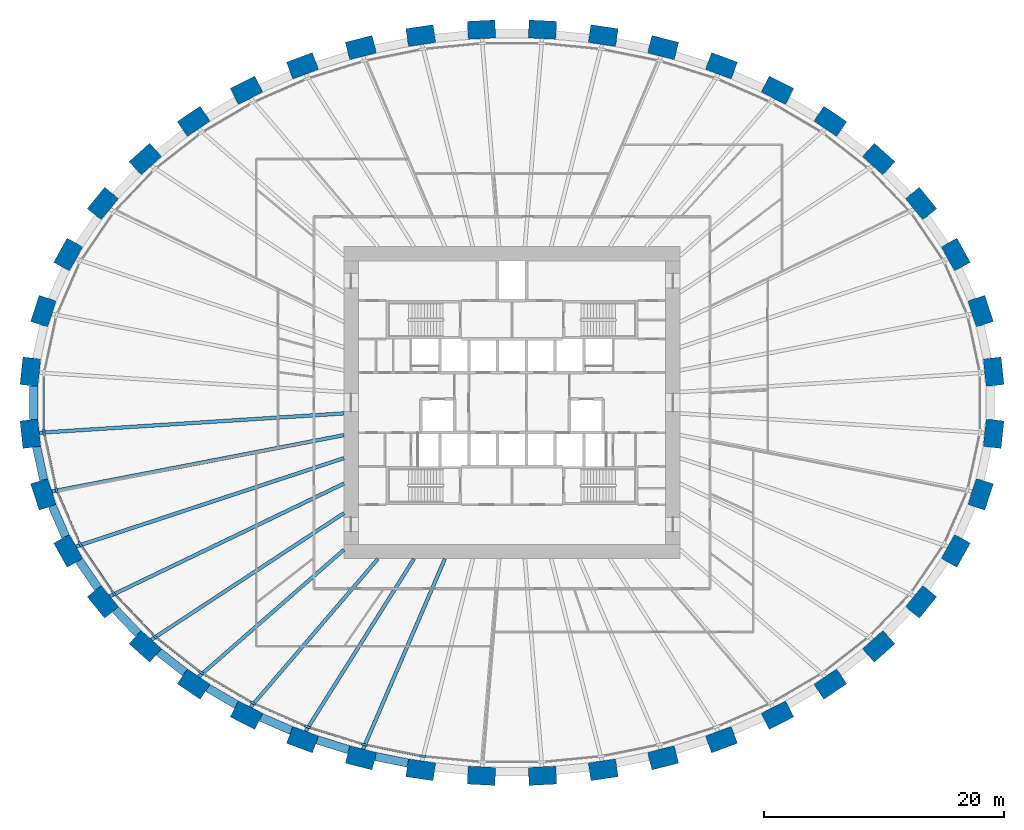
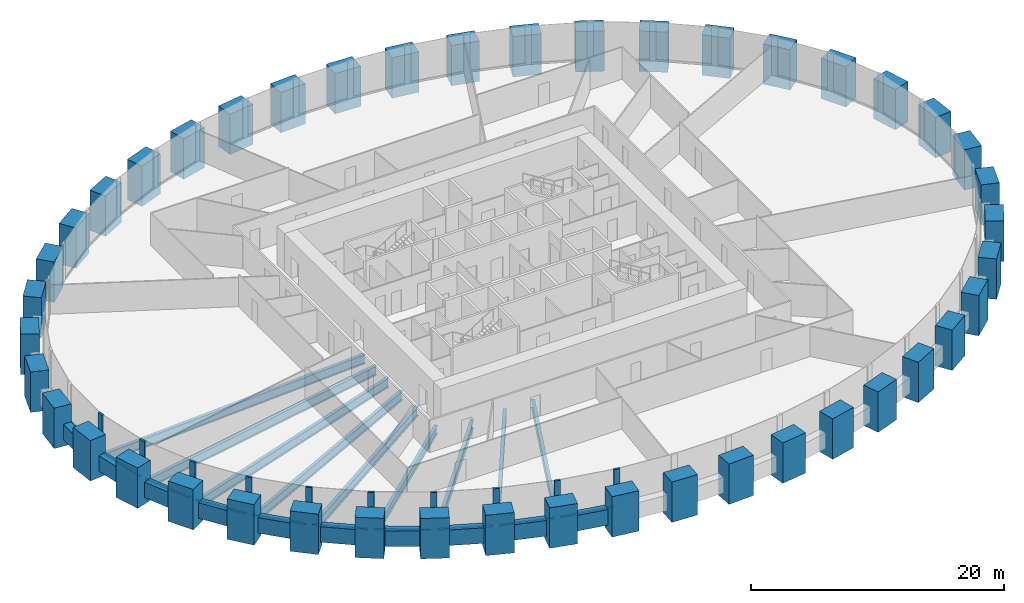
# One storey, part 1 of 11: 44 columns, 20 members, 19 beams, 1 element without a shape of its own.
"""IFC4 building model written with IfcOpenShell, lengths in metres."""

from ifc_helpers import new_model, si_unit, direction, frame, origin, origin_2d, place, context, subcontext, project, spatial, rectangle, i_section, extrude, source, transform, mapped, material, material_profile, profile_set, type_object, element, aggregate, save


model = new_model("IFC4")

# Units and contexts
model_context = context("Model", 3, precision=1e-05, world=origin(), true_north=direction((0.0, 1.0)))
body_context = subcontext(model_context, "Body", "Model", "MODEL_VIEW")
ifc_project = project(units=[si_unit("LENGTHUNIT", "METRE"), si_unit("AREAUNIT", "SQUARE_METRE"), si_unit("VOLUMEUNIT", "CUBIC_METRE"), si_unit("PLANEANGLEUNIT", "RADIAN"), si_unit("MASSUNIT", "GRAM", prefix="KILO")], contexts=[model_context])

# Site, building, storey
site_placement = place(None, origin())
site = spatial("IfcSite", under=ifc_project, at=site_placement, CompositionType="ELEMENT")
building_placement = place(site_placement, origin())
building = spatial("IfcBuilding", under=site, at=building_placement, Name="Embergate Tower", CompositionType="ELEMENT")
storey_placement = place(building_placement, frame((0.0, 0.0, 109.39990234375)))
storey = spatial("IfcBuildingStorey", under=building, at=storey_placement, Name="L23", CompositionType="ELEMENT", Elevation=109.39990234375)

# Columns
ifc_material_1 = material(Name="Concrete C70", Category="concrete")
ifc_material_profile_1 = material_profile(ifc_material_1, rectangle(XDim=1.5, YDim=2.300048828125, at=origin_2d()), Name="RC 1500x2300")
ifc_profile_set_1 = profile_set([ifc_material_profile_1], Name="Concrete C70")
column_type = type_object("IfcColumnType", Name="Ring column RC 1500x2300 C70", PredefinedType="COLUMN", material=ifc_profile_set_1)
shared_shape_1 = source(origin(), body_context, "Body", "SweptSolid", [
    extrude(rectangle(XDim=1.5, YDim=2.300048828125, at=origin_2d()), origin(), (0.0, 0.0, 1.0), 3.89990234375),
])
for number, where, z_axis, x_axis, name in (
    (1, (40.1259765625, 2.58203125, -1.39990234375), (0.0, 0.0, 1.0), (0.99428589498, 0.106749983816, 0.0), "COL-L23-00"),
    (2, (39.0400390625, 7.6259765625, -1.39990234375), (0.0, 0.0, 1.0), (0.950754033697, 0.309946394413, 0.0), "COL-L23-01"),
    (3, (36.971923828125, 12.342041015625, -1.39990234375), (0.0, 0.0, 1.0), (0.873500465855, 0.486823311018, 0.0), "COL-L23-02"),
    (4, (34.083984375, 16.590087890625, -1.39990234375), (0.0, 0.0, 1.0), (0.775925311702, 0.630824786022, 0.0), "COL-L23-03"),
    (5, (30.548095703125, 20.299072265625, -1.39990234375), (0.0, 0.0, 1.0), (0.669221393633, 0.743063070206, 0.0), "COL-L23-04"),
    (6, (26.51806640625, 23.444091796875, -1.39990234375), (0.0, 0.0, 1.0), (0.560407734638, 0.828216862275, 0.0), "COL-L23-05"),
    (7, (22.118896484375, 26.031005859375, -1.39990234375), (0.0, 0.0, 1.0), (0.453010512651, 0.891505174089, 0.0), "COL-L23-06"),
    (8, (17.449951171875, 28.072021484375, -1.39990234375), (0.0, 0.0, 1.0), (0.348343015724, 0.93736713373, 0.0), "COL-L23-07"),
    (9, (12.590087890625, 29.5859375, -1.39990234375), (0.0, 0.0, 1.0), (0.24650851817, 0.969140624713, 0.0), "COL-L23-08"),
    (10, (7.60205078125, 30.5859375, -1.39990234375), (0.0, 0.0, 1.0), (0.146929011949, 0.989147039346, 0.0), "COL-L23-09"),
    (11, (2.5419921875, 31.083984375, -1.39990234375), (0.0, 0.0, 1.0), (0.048814904854, 0.998807841912, 0.0), "COL-L23-10"),
    (12, (-2.5419921875, 31.083984375, -1.39990234375), (0.0, 0.0, 1.0), (-0.048814904854, 0.998807841912, 0.0), "COL-L23-11"),
    (13, (-7.60205078125, 30.5859375, -1.39990234375), (0.0, 0.0, 1.0), (-0.146929011949, 0.989147039346, 0.0), "COL-L23-12"),
    (14, (-12.590087890625, 29.5859375, -1.39990234375), (0.0, 0.0, 1.0), (-0.24650851817, 0.969140624713, 0.0), "COL-L23-13"),
    (15, (-17.449951171875, 28.072021484375, -1.39990234375), (0.0, 0.0, 1.0), (-0.348343015724, 0.93736713373, 0.0), "COL-L23-14"),
    (16, (-22.118896484375, 26.031005859375, -1.39990234375), (0.0, 0.0, 1.0), (-0.453010512651, 0.891505174089, 0.0), "COL-L23-15"),
    (17, (-26.51806640625, 23.444091796875, -1.39990234375), (0.0, 0.0, 1.0), (-0.560407734638, 0.828216862275, 0.0), "COL-L23-16"),
    (18, (-30.548095703125, 20.299072265625, -1.39990234375), (0.0, 0.0, 1.0), (-0.669221393633, 0.743063070206, 0.0), "COL-L23-17"),
    (19, (-34.083984375, 16.590087890625, -1.39990234375), (0.0, 0.0, 1.0), (-0.775925311702, 0.630824786022, 0.0), "COL-L23-18"),
    (20, (-36.971923828125, 12.342041015625, -1.39990234375), (0.0, 0.0, 1.0), (-0.873500465855, 0.486823311018, 0.0), "COL-L23-19"),
    (21, (-39.0400390625, 7.6259765625, -1.39990234375), (0.0, 0.0, 1.0), (-0.950754033697, 0.309946394413, 0.0), "COL-L23-20"),
    (22, (-40.1259765625, 2.58203125, -1.39990234375), (0.0, 0.0, 1.0), (-0.99428589498, 0.106749983816, 0.0), "COL-L23-21"),
    (23, (-40.1259765625, -2.58203125, -1.39990234375), (0.0, 0.0, 1.0), (-0.99428589498, -0.106749983816, 0.0), "COL-L23-22"),
    (24, (-39.0400390625, -7.6259765625, -1.39990234375), (0.0, 0.0, 1.0), (-0.950754033697, -0.309946394413, 0.0), "COL-L23-23"),
    (25, (-36.971923828125, -12.342041015625, -1.39990234375), (0.0, 0.0, 1.0), (-0.873500465855, -0.486823311018, 0.0), "COL-L23-24"),
    (26, (-34.083984375, -16.590087890625, -1.39990234375), (0.0, 0.0, 1.0), (-0.775925311702, -0.630824786022, 0.0), "COL-L23-25"),
    (27, (-30.548095703125, -20.299072265625, -1.39990234375), (0.0, 0.0, 1.0), (-0.669221393633, -0.743063070206, 0.0), "COL-L23-26"),
    (28, (-26.51806640625, -23.444091796875, -1.39990234375), (0.0, 0.0, 1.0), (-0.560407734638, -0.828216862275, 0.0), "COL-L23-27"),
    (29, (-22.118896484375, -26.031005859375, -1.39990234375), (0.0, 0.0, 1.0), (-0.453010512651, -0.891505174089, 0.0), "COL-L23-28"),
    (30, (-17.449951171875, -28.072021484375, -1.39990234375), (0.0, 0.0, 1.0), (-0.348343015724, -0.93736713373, 0.0), "COL-L23-29"),
    (31, (-12.590087890625, -29.5859375, -1.39990234375), (0.0, 0.0, 1.0), (-0.24650851817, -0.969140624713, 0.0), "COL-L23-30"),
    (32, (-7.60205078125, -30.5859375, -1.39990234375), (0.0, 0.0, 1.0), (-0.146929011949, -0.989147039346, 0.0), "COL-L23-31"),
    (33, (-2.5419921875, -31.083984375, -1.39990234375), (0.0, 0.0, 1.0), (-0.048814904854, -0.998807841912, 0.0), "COL-L23-32"),
    (34, (2.5419921875, -31.083984375, -1.39990234375), (0.0, 0.0, 1.0), (0.048814904854, -0.998807841912, 0.0), "COL-L23-33"),
    (35, (7.60205078125, -30.5859375, -1.39990234375), (0.0, 0.0, 1.0), (0.146929011949, -0.989147039346, 0.0), "COL-L23-34"),
    (36, (12.590087890625, -29.5859375, -1.39990234375), (0.0, 0.0, 1.0), (0.24650851817, -0.969140624713, 0.0), "COL-L23-35"),
    (37, (17.449951171875, -28.072021484375, -1.39990234375), (0.0, 0.0, 1.0), (0.348343015724, -0.93736713373, 0.0), "COL-L23-36"),
    (38, (22.118896484375, -26.031005859375, -1.39990234375), (0.0, 0.0, 1.0), (0.453010512651, -0.891505174089, 0.0), "COL-L23-37"),
    (39, (26.51806640625, -23.444091796875, -1.39990234375), (0.0, 0.0, 1.0), (0.560407734638, -0.828216862275, 0.0), "COL-L23-38"),
    (40, (30.548095703125, -20.299072265625, -1.39990234375), (0.0, 0.0, 1.0), (0.669221393633, -0.743063070206, 0.0), "COL-L23-39"),
    (41, (34.083984375, -16.590087890625, -1.39990234375), (0.0, 0.0, 1.0), (0.775925311702, -0.630824786022, 0.0), "COL-L23-40"),
    (42, (36.971923828125, -12.342041015625, -1.39990234375), (0.0, 0.0, 1.0), (0.873500465855, -0.486823311018, 0.0), "COL-L23-41"),
    (43, (39.0400390625, -7.6259765625, -1.39990234375), (0.0, 0.0, 1.0), (0.950754033697, -0.309946394413, 0.0), "COL-L23-42"),
    (44, (40.1259765625, -2.58203125, -1.39990234375), (0.0, 0.0, 1.0), (0.99428589498, -0.106749983816, 0.0), "COL-L23-43"),
):
    element("IfcColumn", number, at=place(storey_placement, frame(where, z_axis=z_axis, x_axis=x_axis)), inside=storey, type_object=column_type, Name=name, PredefinedType="COLUMN", context=body_context, shape_type="MappedRepresentation", body=[
        mapped(shared_shape_1, transform((0.0, 0.0, 0.0))),
    ])

# Beams
ifc_material_profile_2 = material_profile(ifc_material_1, rectangle(XDim=0.699951171875, YDim=1.5, at=origin_2d()), Name="RC 700x1500")
ifc_profile_set_2 = profile_set([ifc_material_profile_2], Name="Concrete C70")
beam_type_1 = type_object("IfcBeamType", Name="Spandrel beam RC 700x1500 C70", PredefinedType="BEAM", material=ifc_profile_set_2)
shared_shape_2 = source(origin(), body_context, "Body", "SweptSolid", [
    extrude(rectangle(XDim=0.699951171875, YDim=1.5, at=origin_2d()), origin(), (0.0, 0.0, 1.0), 2.789306640625),
])
beam_1_placement = place(storey_placement, frame((-39.60693359375, -3.68310546875, 0.0), z_axis=(0.210419662527, -0.977611152566, 0.0), x_axis=(0.977611152566, 0.210419662527, 0.0)))
element("IfcBeam", 45, at=beam_1_placement, inside=storey, type_object=beam_type_1, Name="SPN-L23-22", PredefinedType="BEAM", context=body_context, shape_type="MappedRepresentation", body=[
    mapped(shared_shape_2, transform((0.0, 0.0, 0.0))),
])
shared_shape_3 = source(origin(), body_context, "Body", "SweptSolid", [
    extrude(rectangle(XDim=0.699951171875, YDim=1.5, at=origin_2d()), origin(), (0.0, 0.0, 1.0), 2.78564453125),
])
beam_2_placement = place(storey_placement, frame((-38.31201171875, -8.597900390625, 0.0), z_axis=(0.401669232295, -0.915784815242, 0.0), x_axis=(0.915784815242, 0.401669232295, 0.0)))
element("IfcBeam", 46, at=beam_2_placement, inside=storey, type_object=beam_type_1, Name="SPN-L23-23", PredefinedType="BEAM", context=body_context, shape_type="MappedRepresentation", body=[
    mapped(shared_shape_3, transform((0.0, 0.0, 0.0))),
])
shared_shape_4 = source(origin(), body_context, "Body", "SweptSolid", [
    extrude(rectangle(XDim=0.699951171875, YDim=1.5, at=origin_2d()), origin(), (0.0, 0.0, 1.0), 2.775634765625),
])
beam_3_placement = place(storey_placement, frame((-36.06201171875, -13.152099609375, 0.0), z_axis=(0.562430313872, -0.826844690397, 0.0), x_axis=(0.826844690397, 0.562430313872, 0.0)))
element("IfcBeam", 47, at=beam_3_placement, inside=storey, type_object=beam_type_1, Name="SPN-L23-24", PredefinedType="BEAM", context=body_context, shape_type="MappedRepresentation", body=[
    mapped(shared_shape_4, transform((0.0, 0.0, 0.0))),
])
shared_shape_5 = source(origin(), body_context, "Body", "SweptSolid", [
    extrude(rectangle(XDim=0.699951171875, YDim=1.5, at=origin_2d()), origin(), (0.0, 0.0, 1.0), 2.770263671875),
])
beam_4_placement = place(storey_placement, frame((-33.055908203125, -17.237060546875, 0.0), z_axis=(0.690119345663, -0.723695577395, 0.0), x_axis=(0.723695577395, 0.690119345663, 0.0)))
element("IfcBeam", 48, at=beam_4_placement, inside=storey, type_object=beam_type_1, Name="SPN-L23-25", PredefinedType="BEAM", context=body_context, shape_type="MappedRepresentation", body=[
    mapped(shared_shape_5, transform((0.0, 0.0, 0.0))),
])
shared_shape_6 = source(origin(), body_context, "Body", "SweptSolid", [
    extrude(rectangle(XDim=0.699951171875, YDim=1.5, at=origin_2d()), origin(), (0.0, 0.0, 1.0), 2.762939453125),
])
beam_5_placement = place(storey_placement, frame((-29.426025390625, -20.77099609375, 0.0), z_axis=(0.788304284462, -0.615285588242, 0.0), x_axis=(0.615285588242, 0.788304284462, 0.0)))
element("IfcBeam", 49, at=beam_5_placement, inside=storey, type_object=beam_type_1, Name="SPN-L23-26", PredefinedType="BEAM", context=body_context, shape_type="MappedRepresentation", body=[
    mapped(shared_shape_6, transform((0.0, 0.0, 0.0))),
])
shared_shape_7 = source(origin(), body_context, "Body", "SweptSolid", [
    extrude(rectangle(XDim=0.699951171875, YDim=1.5, at=origin_2d()), origin(), (0.0, 0.0, 1.0), 2.758544921875),
])
beam_6_placement = place(storey_placement, frame((-25.345947265625, -23.763916015625, 0.0), z_axis=(0.862027482261, -0.506861539108, 0.0), x_axis=(0.506861539108, 0.862027482261, 0.0)))
element("IfcBeam", 50, at=beam_6_placement, inside=storey, type_object=beam_type_1, Name="SPN-L23-27", PredefinedType="BEAM", context=body_context, shape_type="MappedRepresentation", body=[
    mapped(shared_shape_7, transform((0.0, 0.0, 0.0))),
])
shared_shape_8 = source(origin(), body_context, "Body", "SweptSolid", [
    extrude(rectangle(XDim=0.699951171875, YDim=1.5, at=origin_2d()), origin(), (0.0, 0.0, 1.0), 2.75537109375),
])
beam_7_placement = place(storey_placement, frame((-20.9189453125, -26.2080078125, 0.0), z_axis=(0.916372764163, -0.400326063478, 0.0), x_axis=(0.400326063478, 0.916372764163, 0.0)))
element("IfcBeam", 51, at=beam_7_placement, inside=storey, type_object=beam_type_1, Name="SPN-L23-28", PredefinedType="BEAM", context=body_context, shape_type="MappedRepresentation", body=[
    mapped(shared_shape_8, transform((0.0, 0.0, 0.0))),
])
shared_shape_9 = source(origin(), body_context, "Body", "SweptSolid", [
    extrude(rectangle(XDim=0.699951171875, YDim=1.5, at=origin_2d()), origin(), (0.0, 0.0, 1.0), 2.750732421875),
])
beam_8_placement = place(storey_placement, frame((-16.23193359375, -28.095947265625, 0.0), z_axis=(0.954637769475, -0.297769590609, 0.0), x_axis=(0.297769590609, 0.954637769475, 0.0)))
element("IfcBeam", 52, at=beam_8_placement, inside=storey, type_object=beam_type_1, Name="SPN-L23-29", PredefinedType="BEAM", context=body_context, shape_type="MappedRepresentation", body=[
    mapped(shared_shape_9, transform((0.0, 0.0, 0.0))),
])
shared_shape_10 = source(origin(), body_context, "Body", "SweptSolid", [
    extrude(rectangle(XDim=0.699951171875, YDim=1.5, at=origin_2d()), origin(), (0.0, 0.0, 1.0), 2.749755859375),
])
beam_9_placement = place(storey_placement, frame((-11.376953125, -29.48291015625, 0.0), z_axis=(0.98045412413, -0.196747834743, 0.0), x_axis=(0.196747834743, 0.98045412413, 0.0)))
element("IfcBeam", 53, at=beam_9_placement, inside=storey, type_object=beam_type_1, Name="SPN-L23-30", PredefinedType="BEAM", context=body_context, shape_type="MappedRepresentation", body=[
    mapped(shared_shape_10, transform((0.0, 0.0, 0.0))),
])
shared_shape_11 = source(origin(), body_context, "Body", "SweptSolid", [
    extrude(rectangle(XDim=0.699951171875, YDim=1.5, at=origin_2d()), origin(), (0.0, 0.0, 1.0), 2.7919921875),
])
beam_10_placement = place(storey_placement, frame((-39.85009765625, 1.39599609375, 0.0), z_axis=(0.0, -1.0, 0.0), x_axis=(1.0, 0.0, 0.0)))
element("IfcBeam", 54, at=beam_10_placement, inside=storey, type_object=beam_type_1, Name="SPN-L23-21", PredefinedType="BEAM", context=body_context, shape_type="MappedRepresentation", body=[
    mapped(shared_shape_11, transform((0.0, 0.0, 0.0))),
])
ifc_material_2 = material(Name="Steel Q355B", Category="steel")
ifc_material_profile_3 = material_profile(ifc_material_2, i_section(OverallWidth=0.300048828125, OverallDepth=0.89990234375, WebThickness=0.01611328125, FlangeThickness=0.028076171875, FilletRadius=0.028076171875, at=origin_2d()), Name="HN 900x300x16x28")
ifc_profile_set_3 = profile_set([ifc_material_profile_3], Name="Steel Q355 grade B")
beam_type_2 = type_object("IfcBeamType", Name="Radial girder HN 900x300x16x28", PredefinedType="BEAM", material=ifc_profile_set_3)
shared_shape_12 = source(origin(), body_context, "Body", "SweptSolid", [
    extrude(i_section(OverallWidth=0.300048828125, OverallDepth=0.89990234375, WebThickness=0.01611328125, FlangeThickness=0.028076171875, FilletRadius=0.028076171875, at=origin_2d()), origin(), (0.0, 0.0, 1.0), 25.43115234375),
])
beam_11_placement = place(storey_placement, frame((-39.3798828125, -2.501953125, -0.64990234375), z_axis=(0.997986432318, 0.063427761344, 0.0), x_axis=(-0.063427761344, 0.997986432318, 0.0)))
element("IfcBeam", 55, at=beam_11_placement, inside=storey, type_object=beam_type_2, Name="GIR-L23-22", PredefinedType="BEAM", context=body_context, shape_type="MappedRepresentation", body=[
    mapped(shared_shape_12, transform((0.0, 0.0, 0.0))),
])
shared_shape_13 = source(origin(), body_context, "Body", "SweptSolid", [
    extrude(i_section(OverallWidth=0.300048828125, OverallDepth=0.89990234375, WebThickness=0.01611328125, FlangeThickness=0.028076171875, FilletRadius=0.028076171875, at=origin_2d()), origin(), (0.0, 0.0, 1.0), 24.775390625),
])
beam_12_placement = place(storey_placement, frame((-38.326904296875, -7.39404296875, -0.64990234375), z_axis=(0.981895013442, 0.189425929, 0.0), x_axis=(-0.189425929, 0.981895013442, 0.0)))
element("IfcBeam", 56, at=beam_12_placement, inside=storey, type_object=beam_type_2, Name="GIR-L23-23", PredefinedType="BEAM", context=body_context, shape_type="MappedRepresentation", body=[
    mapped(shared_shape_13, transform((0.0, 0.0, 0.0))),
])
shared_shape_14 = source(origin(), body_context, "Body", "SweptSolid", [
    extrude(i_section(OverallWidth=0.300048828125, OverallDepth=0.89990234375, WebThickness=0.01611328125, FlangeThickness=0.028076171875, FilletRadius=0.028076171875, at=origin_2d()), origin(), (0.0, 0.0, 1.0), 23.499267578125),
])
beam_13_placement = place(storey_placement, frame((-36.31689453125, -11.97705078125, -0.64990234375), z_axis=(0.949685213061, 0.31320599626, 0.0), x_axis=(-0.31320599626, 0.949685213061, 0.0)))
element("IfcBeam", 57, at=beam_13_placement, inside=storey, type_object=beam_type_2, Name="GIR-L23-24", PredefinedType="BEAM", context=body_context, shape_type="MappedRepresentation", body=[
    mapped(shared_shape_14, transform((0.0, 0.0, 0.0))),
])
shared_shape_15 = source(origin(), body_context, "Body", "SweptSolid", [
    extrude(i_section(OverallWidth=0.300048828125, OverallDepth=0.89990234375, WebThickness=0.01611328125, FlangeThickness=0.028076171875, FilletRadius=0.028076171875, at=origin_2d()), origin(), (0.0, 0.0, 1.0), 21.641357421875),
])
beam_14_placement = place(storey_placement, frame((-33.501953125, -16.116943359375, -0.64990234375), z_axis=(0.901145989674, 0.433515749765, 0.0), x_axis=(-0.433515749765, 0.901145989674, 0.0)))
element("IfcBeam", 58, at=beam_14_placement, inside=storey, type_object=beam_type_2, Name="GIR-L23-25", PredefinedType="BEAM", context=body_context, shape_type="MappedRepresentation", body=[
    mapped(shared_shape_15, transform((0.0, 0.0, 0.0))),
])
shared_shape_16 = source(origin(), body_context, "Body", "SweptSolid", [
    extrude(i_section(OverallWidth=0.300048828125, OverallDepth=0.89990234375, WebThickness=0.01611328125, FlangeThickness=0.028076171875, FilletRadius=0.028076171875, at=origin_2d()), origin(), (0.0, 0.0, 1.0), 19.19970703125),
])
beam_15_placement = place(storey_placement, frame((-30.0458984375, -19.741943359375, -0.64990234375), z_axis=(0.835740827345, 0.549124092996, 0.0), x_axis=(-0.549124092996, 0.835740827345, 0.0)))
element("IfcBeam", 59, at=beam_15_placement, inside=storey, type_object=beam_type_2, Name="GIR-L23-26", PredefinedType="BEAM", context=body_context, shape_type="MappedRepresentation", body=[
    mapped(shared_shape_16, transform((0.0, 0.0, 0.0))),
])
ifc_material_profile_4 = material_profile(ifc_material_2, i_section(OverallWidth=0.300048828125, OverallDepth=0.800048828125, WebThickness=0.013916015625, FlangeThickness=0.02587890625, FilletRadius=0.028076171875, at=origin_2d()), Name="HN 800x300x14x26")
ifc_profile_set_4 = profile_set([ifc_material_profile_4], Name="Steel Q355 grade B")
beam_type_3 = type_object("IfcBeamType", Name="Radial girder HN 800x300x14x26", PredefinedType="BEAM", material=ifc_profile_set_4)
shared_shape_17 = source(origin(), body_context, "Body", "SweptSolid", [
    extrude(i_section(OverallWidth=0.300048828125, OverallDepth=0.800048828125, WebThickness=0.013916015625, FlangeThickness=0.02587890625, FilletRadius=0.028076171875, at=origin_2d()), origin(), (0.0, 0.0, 1.0), 16.071533203125),
])
beam_16_placement = place(storey_placement, frame((-26.097900390625, -22.822998046875, -0.599853515625), z_axis=(0.752748875992, 0.658307777329, 0.0), x_axis=(-0.658307777329, 0.752748875992, 0.0)))
element("IfcBeam", 60, at=beam_16_placement, inside=storey, type_object=beam_type_3, Name="GIR-L23-27", PredefinedType="BEAM", context=body_context, shape_type="MappedRepresentation", body=[
    mapped(shared_shape_17, transform((0.0, 0.0, 0.0))),
])
shared_shape_18 = source(origin(), body_context, "Body", "SweptSolid", [
    extrude(i_section(OverallWidth=0.300048828125, OverallDepth=0.800048828125, WebThickness=0.013916015625, FlangeThickness=0.02587890625, FilletRadius=0.028076171875, at=origin_2d()), origin(), (0.0, 0.0, 1.0), 16.294677734375),
])
beam_17_placement = place(storey_placement, frame((-21.779052734375, -25.362060546875, -0.599853515625), z_axis=(0.651495635829, 0.758652381856, 0.0), x_axis=(-0.758652381856, 0.651495635829, 0.0)))
element("IfcBeam", 61, at=beam_17_placement, inside=storey, type_object=beam_type_3, Name="GIR-L23-28", PredefinedType="BEAM", context=body_context, shape_type="MappedRepresentation", body=[
    mapped(shared_shape_18, transform((0.0, 0.0, 0.0))),
])
shared_shape_19 = source(origin(), body_context, "Body", "SweptSolid", [
    extrude(i_section(OverallWidth=0.300048828125, OverallDepth=0.800048828125, WebThickness=0.013916015625, FlangeThickness=0.02587890625, FilletRadius=0.028076171875, at=origin_2d()), origin(), (0.0, 0.0, 1.0), 16.968017578125),
])
beam_18_placement = place(storey_placement, frame((-17.18896484375, -27.368896484375, -0.599853515625), z_axis=(0.53187684388, 0.846821718513, 0.0), x_axis=(-0.846821718513, 0.53187684388, 0.0)))
element("IfcBeam", 62, at=beam_18_placement, inside=storey, type_object=beam_type_3, Name="GIR-L23-29", PredefinedType="BEAM", context=body_context, shape_type="MappedRepresentation", body=[
    mapped(shared_shape_19, transform((0.0, 0.0, 0.0))),
])
shared_shape_20 = source(origin(), body_context, "Body", "SweptSolid", [
    extrude(i_section(OverallWidth=0.300048828125, OverallDepth=0.800048828125, WebThickness=0.013916015625, FlangeThickness=0.02587890625, FilletRadius=0.028076171875, at=origin_2d()), origin(), (0.0, 0.0, 1.0), 17.261962890625),
])
beam_19_placement = place(storey_placement, frame((-12.405029296875, -28.85888671875, -0.599853515625), z_axis=(0.394921038266, 0.918715066566, 0.0), x_axis=(-0.918715066566, 0.394921038266, 0.0)))
element("IfcBeam", 63, at=beam_19_placement, inside=storey, type_object=beam_type_3, Name="GIR-L23-30", PredefinedType="BEAM", context=body_context, shape_type="MappedRepresentation", body=[
    mapped(shared_shape_20, transform((0.0, 0.0, 0.0))),
])

# Curtain wall, members
ifc_material_3 = material(Name="Aluminium and glass", Category="aluminium")
curtain_wall_type = type_object("IfcCurtainWallType", Name="Recessed office glazing", PredefinedType="NOTDEFINED", material=ifc_material_3)
curtain_wall_placement = place(storey_placement, origin())
curtain_wall = element("IfcCurtainWall", 64, at=curtain_wall_placement, inside=storey, type_object=curtain_wall_type, Name="Recessed office glazing ring", ObjectType="RECESSED OFFICE GLAZING", PredefinedType="USERDEFINED")
ifc_material_4 = material(Name="Aluminium, thermally broken", Category="aluminium")
ifc_material_profile_5 = material_profile(ifc_material_4, rectangle(XDim=0.179931640625, YDim=0.52001953125, at=origin_2d()), Name="AL 520x180")
ifc_profile_set_5 = profile_set([ifc_material_profile_5], Name="Aluminium, thermally broken")
member_type_1 = type_object("IfcMemberType", Name="Office mullion", PredefinedType="MULLION", material=ifc_profile_set_5)
shared_shape_21 = source(origin(), body_context, "Body", "SweptSolid", [
    extrude(rectangle(XDim=0.179931640625, YDim=0.52001953125, at=origin_2d()), origin(), (0.0, 0.0, 1.0), 3.7001953125),
])
member_1_placement = place(storey_placement, frame((-38.9921875, -2.4599609375, 0.0), z_axis=(0.0, 0.0, 1.0), x_axis=(0.994385324123, 0.105819786286, 0.0)))
member_1 = element("IfcMember", 65, at=member_1_placement, type_object=member_type_1, Name="CW mullion 23", PredefinedType="MULLION", context=body_context, shape_type="MappedRepresentation", body=[
    mapped(shared_shape_21, transform((0.0, 0.0, 0.0))),
])
member_2_placement = place(storey_placement, frame((-37.95654296875, -7.272705078125, 0.0), z_axis=(0.0, 0.0, 1.0), x_axis=(0.951501556643, 0.307643930065, 0.0)))
member_2 = element("IfcMember", 66, at=member_2_placement, type_object=member_type_1, Name="CW mullion 24", PredefinedType="MULLION", context=body_context, shape_type="MappedRepresentation", body=[
    mapped(shared_shape_21, transform((0.0, 0.0, 0.0))),
])
member_3_placement = place(storey_placement, frame((-35.9765625, -11.787353515625, 0.0), z_axis=(0.0, 0.0, 1.0), x_axis=(0.875009500255, 0.484105747191, 0.0)))
member_3 = element("IfcMember", 67, at=member_3_placement, type_object=member_type_1, Name="CW mullion 25", PredefinedType="MULLION", context=body_context, shape_type="MappedRepresentation", body=[
    mapped(shared_shape_21, transform((0.0, 0.0, 0.0))),
])
member_4_placement = place(storey_placement, frame((-33.19921875, -15.87109375, 0.0), z_axis=(0.0, 0.0, 1.0), x_axis=(0.777883532271, 0.628408474022, 0.0)))
member_4 = element("IfcMember", 68, at=member_4_placement, type_object=member_type_1, Name="CW mullion 26", PredefinedType="MULLION", context=body_context, shape_type="MappedRepresentation", body=[
    mapped(shared_shape_21, transform((0.0, 0.0, 0.0))),
])
member_5_placement = place(storey_placement, frame((-29.784912109375, -19.451416015625, 0.0), z_axis=(0.0, 0.0, 1.0), x_axis=(0.671238177437, 0.741241734626, 0.0)))
member_5 = element("IfcMember", 69, at=member_5_placement, type_object=member_type_1, Name="CW mullion 27", PredefinedType="MULLION", context=body_context, shape_type="MappedRepresentation", body=[
    mapped(shared_shape_21, transform((0.0, 0.0, 0.0))),
])
member_6_placement = place(storey_placement, frame((-25.87890625, -22.5, 0.0), z_axis=(0.0, 0.0, 1.0), x_axis=(0.562227722082, 0.826982459622, 0.0)))
member_6 = element("IfcMember", 70, at=member_6_placement, type_object=member_type_1, Name="CW mullion 28", PredefinedType="MULLION", context=body_context, shape_type="MappedRepresentation", body=[
    mapped(shared_shape_21, transform((0.0, 0.0, 0.0))),
])
member_7_placement = place(storey_placement, frame((-21.602294921875, -25.014404296875, 0.0), z_axis=(0.0, 0.0, 1.0), x_axis=(0.454520708319, 0.890736170653, 0.0)))
member_7 = element("IfcMember", 71, at=member_7_placement, type_object=member_type_1, Name="CW mullion 29", PredefinedType="MULLION", context=body_context, shape_type="MappedRepresentation", body=[
    mapped(shared_shape_21, transform((0.0, 0.0, 0.0))),
])
member_8_placement = place(storey_placement, frame((-17.052734375, -27.00390625, 0.0), z_axis=(0.0, 0.0, 1.0), x_axis=(0.349510859141, 0.936932313106, 0.0)))
member_8 = element("IfcMember", 72, at=member_8_placement, type_object=member_type_1, Name="CW mullion 30", PredefinedType="MULLION", context=body_context, shape_type="MappedRepresentation", body=[
    mapped(shared_shape_21, transform((0.0, 0.0, 0.0))),
])
member_9_placement = place(storey_placement, frame((-12.30859375, -28.481201171875, 0.0), z_axis=(0.0, 0.0, 1.0), x_axis=(0.247316954703, 0.968934633459, 0.0)))
member_9 = element("IfcMember", 73, at=member_9_placement, type_object=member_type_1, Name="CW mullion 31", PredefinedType="MULLION", context=body_context, shape_type="MappedRepresentation", body=[
    mapped(shared_shape_21, transform((0.0, 0.0, 0.0))),
])
member_10_placement = place(storey_placement, frame((-7.434814453125, -29.458984375, 0.0), z_axis=(0.0, 0.0, 1.0), x_axis=(0.147415835341, 0.989074603602, 0.0)))
member_10 = element("IfcMember", 74, at=member_10_placement, type_object=member_type_1, Name="CW mullion 32", PredefinedType="MULLION", context=body_context, shape_type="MappedRepresentation", body=[
    mapped(shared_shape_21, transform((0.0, 0.0, 0.0))),
])
ifc_material_profile_6 = material_profile(ifc_material_4, rectangle(XDim=0.179931640625, YDim=0.14990234375, at=origin_2d()), Name="AL 150x180")
ifc_profile_set_6 = profile_set([ifc_material_profile_6], Name="Aluminium, thermally broken")
member_type_2 = type_object("IfcMemberType", Name="Office sill transom", PredefinedType="USERDEFINED", material=ifc_profile_set_6)
shared_shape_22 = source(origin(), body_context, "Body", "SweptSolid", [
    extrude(rectangle(XDim=0.179931640625, YDim=0.14990234375, at=origin_2d()), origin(), (0.0, 0.0, 1.0), 4.40283203125),
])
member_11_placement = place(storey_placement, frame((-38.9375, -2.714111328125, 0.0751953125), z_axis=(0.210384862648, -0.977618642196, 0.0), x_axis=(0.977618642196, 0.210384862648, 0.0)))
member_11 = element("IfcMember", 75, at=member_11_placement, type_object=member_type_2, Name="CW transom 23.1", ObjectType="TRANSOM", PredefinedType="USERDEFINED", context=body_context, shape_type="MappedRepresentation", body=[
    mapped(shared_shape_22, transform((0.0, 0.0, 0.0))),
])
shared_shape_23 = source(origin(), body_context, "Body", "SweptSolid", [
    extrude(rectangle(XDim=0.179931640625, YDim=0.14990234375, at=origin_2d()), origin(), (0.0, 0.0, 1.0), 4.409912109375),
])
member_12_placement = place(storey_placement, frame((-37.85205078125, -7.5107421875, 0.0751953125), z_axis=(0.401649276601, -0.915793567681, 0.0), x_axis=(0.915793567681, 0.401649276601, 0.0)))
member_12 = element("IfcMember", 76, at=member_12_placement, type_object=member_type_2, Name="CW transom 24.1", ObjectType="TRANSOM", PredefinedType="USERDEFINED", context=body_context, shape_type="MappedRepresentation", body=[
    mapped(shared_shape_23, transform((0.0, 0.0, 0.0))),
])
shared_shape_24 = source(origin(), body_context, "Body", "SweptSolid", [
    extrude(rectangle(XDim=0.179931640625, YDim=0.14990234375, at=origin_2d()), origin(), (0.0, 0.0, 1.0), 4.41845703125),
])
member_13_placement = place(storey_placement, frame((-35.830078125, -12.002197265625, 0.0751953125), z_axis=(0.562314555327, -0.826923418986, 0.0), x_axis=(0.826923418986, 0.562314555327, 0.0)))
member_13 = element("IfcMember", 77, at=member_13_placement, type_object=member_type_2, Name="CW transom 25.1", ObjectType="TRANSOM", PredefinedType="USERDEFINED", context=body_context, shape_type="MappedRepresentation", body=[
    mapped(shared_shape_24, transform((0.0, 0.0, 0.0))),
])
shared_shape_25 = source(origin(), body_context, "Body", "SweptSolid", [
    extrude(rectangle(XDim=0.179931640625, YDim=0.14990234375, at=origin_2d()), origin(), (0.0, 0.0, 1.0), 4.42724609375),
])
member_14_placement = place(storey_placement, frame((-33.019775390625, -16.059326171875, 0.0751953125), z_axis=(0.690143848167, -0.723672210906, 0.0), x_axis=(0.723672210906, 0.690143848167, 0.0)))
member_14 = element("IfcMember", 78, at=member_14_placement, type_object=member_type_2, Name="CW transom 26.1", ObjectType="TRANSOM", PredefinedType="USERDEFINED", context=body_context, shape_type="MappedRepresentation", body=[
    mapped(shared_shape_25, transform((0.0, 0.0, 0.0))),
])
shared_shape_26 = source(origin(), body_context, "Body", "SweptSolid", [
    extrude(rectangle(XDim=0.179931640625, YDim=0.14990234375, at=origin_2d()), origin(), (0.0, 0.0, 1.0), 4.434814453125),
])
member_15_placement = place(storey_placement, frame((-29.580078125, -19.611572265625, 0.0751953125), z_axis=(0.788331413259, -0.615250829231, 0.0), x_axis=(0.615250829231, 0.788331413259, 0.0)))
member_15 = element("IfcMember", 79, at=member_15_placement, type_object=member_type_2, Name="CW transom 27.1", ObjectType="TRANSOM", PredefinedType="USERDEFINED", context=body_context, shape_type="MappedRepresentation", body=[
    mapped(shared_shape_26, transform((0.0, 0.0, 0.0))),
])
shared_shape_27 = source(origin(), body_context, "Body", "SweptSolid", [
    extrude(rectangle(XDim=0.179931640625, YDim=0.14990234375, at=origin_2d()), origin(), (0.0, 0.0, 1.0), 4.441162109375),
])
member_16_placement = place(storey_placement, frame((-25.65478515625, -22.6318359375, 0.0751953125), z_axis=(0.862033122062, -0.506851947287, 0.0), x_axis=(0.506851947287, 0.862033122062, 0.0)))
member_16 = element("IfcMember", 80, at=member_16_placement, type_object=member_type_2, Name="CW transom 28.1", ObjectType="TRANSOM", PredefinedType="USERDEFINED", context=body_context, shape_type="MappedRepresentation", body=[
    mapped(shared_shape_27, transform((0.0, 0.0, 0.0))),
])
shared_shape_28 = source(origin(), body_context, "Body", "SweptSolid", [
    extrude(rectangle(XDim=0.179931640625, YDim=0.14990234375, at=origin_2d()), origin(), (0.0, 0.0, 1.0), 4.4453125),
])
member_17_placement = place(storey_placement, frame((-21.364013671875, -25.11865234375, 0.0751953125), z_axis=(0.916234206369, -0.400643081907, 0.0), x_axis=(0.400643081907, 0.916234206369, 0.0)))
member_17 = element("IfcMember", 81, at=member_17_placement, type_object=member_type_2, Name="CW transom 29.1", ObjectType="TRANSOM", PredefinedType="USERDEFINED", context=body_context, shape_type="MappedRepresentation", body=[
    mapped(shared_shape_28, transform((0.0, 0.0, 0.0))),
])
shared_shape_29 = source(origin(), body_context, "Body", "SweptSolid", [
    extrude(rectangle(XDim=0.179931640625, YDim=0.14990234375, at=origin_2d()), origin(), (0.0, 0.0, 1.0), 4.448974609375),
])
member_18_placement = place(storey_placement, frame((-16.8046875, -27.081298828125, 0.0751953125), z_axis=(0.954779260894, -0.297315594892, 0.0), x_axis=(0.297315594892, 0.954779260894, 0.0)))
member_18 = element("IfcMember", 82, at=member_18_placement, type_object=member_type_2, Name="CW transom 30.1", ObjectType="TRANSOM", PredefinedType="USERDEFINED", context=body_context, shape_type="MappedRepresentation", body=[
    mapped(shared_shape_29, transform((0.0, 0.0, 0.0))),
])
shared_shape_30 = source(origin(), body_context, "Body", "SweptSolid", [
    extrude(rectangle(XDim=0.179931640625, YDim=0.14990234375, at=origin_2d()), origin(), (0.0, 0.0, 1.0), 4.450927734375),
])
member_19_placement = place(storey_placement, frame((-12.0537109375, -28.532470703125, 0.0751953125), z_axis=(0.980475049714, -0.196643527453, 0.0), x_axis=(0.196643527453, 0.980475049714, 0.0)))
member_19 = element("IfcMember", 83, at=member_19_placement, type_object=member_type_2, Name="CW transom 31.1", ObjectType="TRANSOM", PredefinedType="USERDEFINED", context=body_context, shape_type="MappedRepresentation", body=[
    mapped(shared_shape_30, transform((0.0, 0.0, 0.0))),
])
shared_shape_31 = source(origin(), body_context, "Body", "SweptSolid", [
    extrude(rectangle(XDim=0.179931640625, YDim=0.14990234375, at=origin_2d()), origin(), (0.0, 0.0, 1.0), 4.39990234375),
])
member_20_placement = place(storey_placement, frame((-38.9921875, 2.199951171875, 0.0751953125), z_axis=(0.0, -1.0, 0.0), x_axis=(1.0, 0.0, 0.0)))
member_20 = element("IfcMember", 84, at=member_20_placement, type_object=member_type_2, Name="CW transom 22.1", ObjectType="TRANSOM", PredefinedType="USERDEFINED", context=body_context, shape_type="MappedRepresentation", body=[
    mapped(shared_shape_31, transform((0.0, 0.0, 0.0))),
])
aggregate(curtain_wall, [member_1, member_2, member_3, member_4, member_5, member_6, member_7, member_8, member_9, member_10, member_20, member_11, member_12, member_13, member_14, member_15, member_16, member_17, member_18, member_19])

save(model, "model.ifc")
